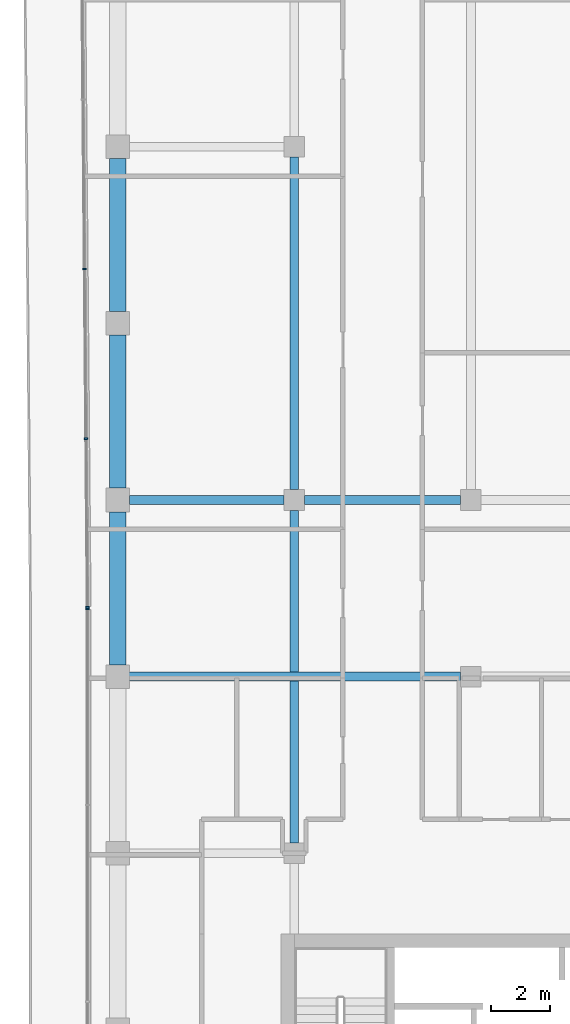
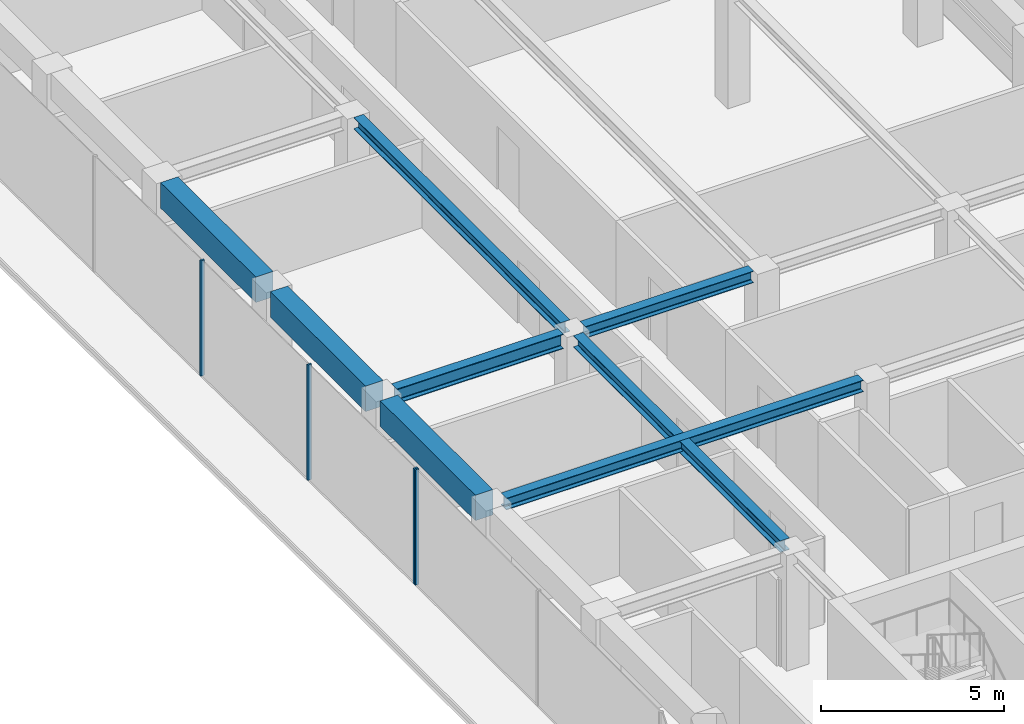
# One storey, part 6 of 19: 8 beams, 4 members, 2 elements without a shape of their own.
"""IFC4 building model written with IfcOpenShell, lengths in metres."""

from ifc_helpers import new_model, si_unit, direction, frame, origin, origin_2d, place, context, subcontext, project, spatial, rectangle, i_section, extrude, material, layer, layer_set, material_profile, profile_set, type_object, element, aggregate, save


model = new_model("IFC4")

# Units and contexts
model_context = context("Model", 3, precision=1e-05, world=origin(), true_north=direction((0.0, 1.0)))
body_context = subcontext(model_context, "Body", "Model", "MODEL_VIEW")
ifc_project = project(units=[si_unit("LENGTHUNIT", "METRE"), si_unit("AREAUNIT", "SQUARE_METRE"), si_unit("VOLUMEUNIT", "CUBIC_METRE"), si_unit("PLANEANGLEUNIT", "RADIAN"), si_unit("MASSUNIT", "GRAM", prefix="KILO")], contexts=[model_context])

# Site, building, storey
site_placement = place(None, origin())
site = spatial("IfcSite", under=ifc_project, at=site_placement, CompositionType="ELEMENT")
building_placement = place(site_placement, origin())
building = spatial("IfcBuilding", under=site, at=building_placement, Name="Welwitschia Terrace Campus", CompositionType="ELEMENT")
storey_placement = place(building_placement, frame((0.0, 0.0, 226.39990234375)))
storey = spatial("IfcBuildingStorey", under=building, at=storey_placement, Name="L50", CompositionType="ELEMENT", Elevation=226.39990234375)

# Beams
ifc_material_1 = material(Name="Steel S355", Category="steel")
ifc_material_profile_1 = material_profile(ifc_material_1, i_section(OverallWidth=0.300048828125, OverallDepth=0.389892578125, WebThickness=0.010986328125, FlangeThickness=0.01904296875, FilletRadius=0.027099609375, at=origin_2d()))
ifc_profile_set_1 = profile_set([ifc_material_profile_1], Name="Steel S355")
beam_type_1 = type_object("IfcBeamType", Name="Interior girder HE 400 A", PredefinedType="BEAM", material=ifc_profile_set_1)
beam_1_placement = place(storey_placement, frame((0.390380859375, 34.0, 3.655029296875), z_axis=(1.0, 0.0, 0.0), x_axis=(0.0, 1.0, 0.0)))
element("IfcBeam", 1, at=beam_1_placement, inside=storey, type_object=beam_type_1, Name="Girder GB5", PredefinedType="BEAM", context=body_context, shape_type="SweptSolid", body=[
    extrude(i_section(OverallWidth=0.300048828125, OverallDepth=0.389892578125, WebThickness=0.010986328125, FlangeThickness=0.01904296875, FilletRadius=0.027099609375, at=origin_2d()), origin(), (0.0, 0.0, 1.0), 11.259033203125),
])
beam_2_placement = place(storey_placement, frame((6.3505859375, 40.0, 3.655029296875), z_axis=(1.0, 0.0, 0.0), x_axis=(0.0, 1.0, 0.0)))
element("IfcBeam", 2, at=beam_2_placement, inside=storey, type_object=beam_type_1, Name="Girder GB5", PredefinedType="BEAM", context=body_context, shape_type="SweptSolid", body=[
    extrude(i_section(OverallWidth=0.300048828125, OverallDepth=0.389892578125, WebThickness=0.010986328125, FlangeThickness=0.01904296875, FilletRadius=0.027099609375, at=origin_2d()), origin(), (0.0, 0.0, 1.0), 5.298828125),
])
for number, where, z_axis, x_axis, name in (
    (3, (6.0, 28.3505859375, 3.655029296875), (0.0, 1.0, 0.0), (-1.0, 0.0, 0.0), "Girder GB5"),
    (4, (6.0, 40.3505859375, 3.655029296875), (0.0, 1.0, 0.0), (-1.0, 0.0, 0.0), "Girder GB5"),
):
    element("IfcBeam", number, at=place(storey_placement, frame(where, z_axis=z_axis, x_axis=x_axis)), inside=storey, type_object=beam_type_1, Name=name, PredefinedType="BEAM", context=body_context, shape_type="SweptSolid", body=[
        extrude(i_section(OverallWidth=0.300048828125, OverallDepth=0.389892578125, WebThickness=0.010986328125, FlangeThickness=0.01904296875, FilletRadius=0.027099609375, at=origin_2d()), origin(), (0.0, 0.0, 1.0), 11.298828125),
    ])

# Curtain wall, members
ifc_material_2 = material(Name="Bronze anodised aluminium", Category="aluminium")
ifc_layer = layer(ifc_material_2, 0.1201171875)
ifc_layer_set = layer_set([ifc_layer], Name="Bronze anodised aluminium")
curtain_wall_type = type_object("IfcCurtainWallType", Name="Curtain wall CW2 tower 6000", PredefinedType="NOTDEFINED", material=ifc_layer_set)
curtain_wall_1_placement = place(storey_placement, origin())
curtain_wall_1 = element("IfcCurtainWall", 5, at=curtain_wall_1_placement, inside=storey, type_object=curtain_wall_type, Name="CW L50.0.0", PredefinedType="NOTDEFINED")
ifc_material_3 = material(Name="Bronze anodised aluminium", Category="aluminium")
ifc_material_profile_2 = material_profile(ifc_material_3, rectangle(XDim=0.1201171875, YDim=0.06005859375, at=origin_2d()))
ifc_profile_set_2 = profile_set([ifc_material_profile_2], Name="Bronze anodised aluminium")
member_type = type_object("IfcMemberType", Name="Mullion 60x120", PredefinedType="MULLION", material=ifc_profile_set_2)
member_1_placement = place(storey_placement, frame((-1.130615234375, 47.84765625, 0.0), z_axis=(0.0, 0.0, 1.0), x_axis=(0.999961923064, 0.008726535498, 0.0)))
member_1 = element("IfcMember", 6, at=member_1_placement, type_object=member_type, Name="Mullion L50.0.0.4", PredefinedType="MULLION", context=body_context, shape_type="SweptSolid", body=[
    extrude(rectangle(XDim=0.1201171875, YDim=0.06005859375, at=origin_2d()), origin(), (0.0, 0.0, 1.0), 3.85009765625),
])
member_2_placement = place(storey_placement, frame((-1.080322265625, 42.085205078125, 0.0), z_axis=(0.0, 0.0, 1.0), x_axis=(0.999961923064, 0.008726535498, 0.0)))
member_2 = element("IfcMember", 7, at=member_2_placement, type_object=member_type, Name="Mullion L50.0.0.5", PredefinedType="MULLION", context=body_context, shape_type="SweptSolid", body=[
    extrude(rectangle(XDim=0.1201171875, YDim=0.06005859375, at=origin_2d()), origin(), (0.0, 0.0, 1.0), 3.85009765625),
])
member_3_placement = place(storey_placement, frame((-1.0302734375, 36.3525390625, 0.0), z_axis=(0.0, 0.0, 1.0), x_axis=(0.999961923064, 0.008726535498, 0.0)))
member_3 = element("IfcMember", 8, at=member_3_placement, type_object=member_type, Name="Mullion L50.0.0.6", PredefinedType="MULLION", context=body_context, shape_type="SweptSolid", body=[
    extrude(rectangle(XDim=0.1201171875, YDim=0.06005859375, at=origin_2d()), origin(), (0.0, 0.0, 1.0), 3.85009765625),
])
aggregate(curtain_wall_1, [member_1, member_2, member_3])

# Curtain wall, member
curtain_wall_2_placement = place(storey_placement, origin())
curtain_wall_2 = element("IfcCurtainWall", 9, at=curtain_wall_2_placement, inside=storey, type_object=curtain_wall_type, Name="CW L50.1.0", PredefinedType="NOTDEFINED")
member_4_placement = place(storey_placement, frame((-1.030029296875, 36.292724609375, 0.0), z_axis=(0.0, 0.0, 1.0), x_axis=(1.0, 0.0, 0.0)))
member_4 = element("IfcMember", 10, at=member_4_placement, type_object=member_type, Name="Mullion L50.1.0.0", PredefinedType="MULLION", context=body_context, shape_type="SweptSolid", body=[
    extrude(rectangle(XDim=0.1201171875, YDim=0.06005859375, at=origin_2d()), origin(), (0.0, 0.0, 1.0), 3.85009765625),
])
aggregate(curtain_wall_2, [member_4])

# Beams
ifc_material_4 = material(Name="Steel S355", Category="steel")
ifc_material_profile_3 = material_profile(ifc_material_4, i_section(OverallWidth=0.300048828125, OverallDepth=0.489990234375, WebThickness=0.011962890625, FlangeThickness=0.02294921875, FilletRadius=0.027099609375, at=origin_2d()))
ifc_profile_set_3 = profile_set([ifc_material_profile_3], Name="Steel S355")
beam_type_2 = type_object("IfcBeamType", Name="Primary beam HE 500 A", PredefinedType="BEAM", material=ifc_profile_set_3)
beam_3_placement = place(storey_placement, frame((0.400390625, 40.0, 3.60498046875), z_axis=(1.0, 0.0, 0.0), x_axis=(0.0, 1.0, 0.0)))
element("IfcBeam", 11, at=beam_3_placement, inside=storey, type_object=beam_type_2, Name="Primary beam PB5", PredefinedType="BEAM", context=body_context, shape_type="SweptSolid", body=[
    extrude(i_section(OverallWidth=0.300048828125, OverallDepth=0.489990234375, WebThickness=0.011962890625, FlangeThickness=0.02294921875, FilletRadius=0.027099609375, at=origin_2d()), origin(), (0.0, 0.0, 1.0), 5.2490234375),
])
ifc_material_5 = material(Name="Concrete C50/60", Category="concrete")
ifc_material_profile_4 = material_profile(ifc_material_5, rectangle(XDim=0.550048828125, YDim=0.85009765625, at=origin_2d()))
ifc_profile_set_4 = profile_set([ifc_material_profile_4], Name="Concrete C50/60")
beam_type_3 = type_object("IfcBeamType", Name="Ring spandrel 550x850", PredefinedType="SPANDREL", material=ifc_profile_set_4)
for number, where, z_axis, x_axis, name in (
    (12, (0.0, 51.599609375, 3.425048828125), (0.0, -1.0, 0.0), (1.0, 0.0, 0.0), "Spandrel SP3"),
    (13, (0.0, 45.599609375, 3.425048828125), (0.0, -1.0, 0.0), (1.0, 0.0, 0.0), "Spandrel SP3"),
    (14, (0.0, 39.599609375, 3.425048828125), (0.0, -1.0, 0.0), (1.0, 0.0, 0.0), "Spandrel SP3"),
):
    element("IfcBeam", number, at=place(storey_placement, frame(where, z_axis=z_axis, x_axis=x_axis)), inside=storey, type_object=beam_type_3, Name=name, PredefinedType="SPANDREL", context=body_context, shape_type="SweptSolid", body=[
        extrude(rectangle(XDim=0.550048828125, YDim=0.85009765625, at=origin_2d()), origin(), (0.0, 0.0, 1.0), 5.19921875),
    ])

save(model, "model.ifc")
